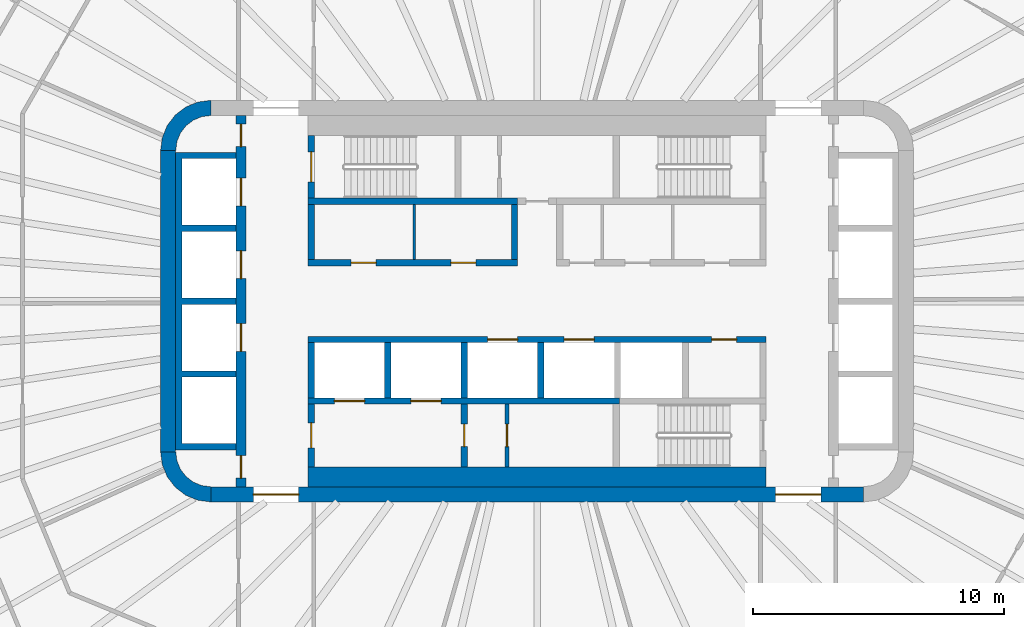
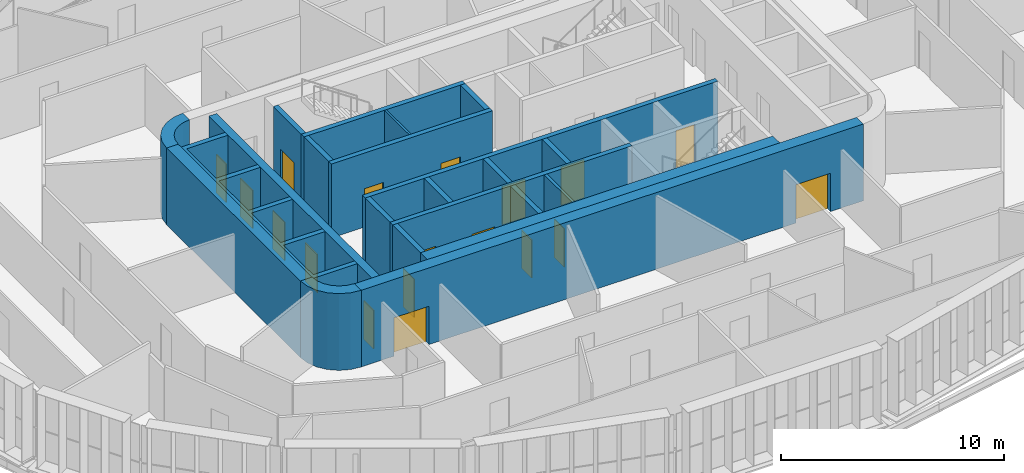
# One storey, part 11 of 22: 22 walls, 18 doors, 18 openings.
"""IFC4 building model written with IfcOpenShell, lengths in metres."""

from ifc_helpers import new_model, si_unit, direction, frame, frame_2d, origin, place, context, subcontext, project, spatial, polyline, rectangle, outline, extrude, material, layer, layer_set, type_object, element, fill, save


model = new_model("IFC4")

# Units and contexts
model_context = context("Model", 3, precision=1e-05, world=origin(), true_north=direction((0.0, 1.0)))
body_context = subcontext(model_context, "Body", "Model", "MODEL_VIEW")
ifc_project = project(units=[si_unit("LENGTHUNIT", "METRE"), si_unit("AREAUNIT", "SQUARE_METRE"), si_unit("VOLUMEUNIT", "CUBIC_METRE"), si_unit("PLANEANGLEUNIT", "RADIAN"), si_unit("MASSUNIT", "GRAM", prefix="KILO")], contexts=[model_context])

# Site, building, storey
site_placement = place(None, origin())
site = spatial("IfcSite", under=ifc_project, at=site_placement, CompositionType="ELEMENT")
building_placement = place(site_placement, origin())
building = spatial("IfcBuilding", under=site, at=building_placement, Name="Sahrelin Media Tower", CompositionType="ELEMENT")
storey_placement = place(building_placement, frame((0.0, 0.0, 50.39990234375)))
storey = spatial("IfcBuildingStorey", under=building, at=storey_placement, Name="L07", CompositionType="ELEMENT", Elevation=50.39990234375)

# Wall, openings, doors
ifc_material_1 = material(Name="Concrete C60/75", Category="concrete")
ifc_layer_1 = layer(ifc_material_1, 0.60009765625)
ifc_layer_set_1 = layer_set([ifc_layer_1], Name="Core wall 600")
wall_type_1 = type_object("IfcWallType", Name="Core wall 600", PredefinedType="SHEAR", material=ifc_layer_set_1)
wall_1_placement = place(storey_placement, frame((-13.0, -7.699951171875, 0.0), z_axis=(0.0, 0.0, 1.0), x_axis=(1.0, 0.0, 0.0)))
wall_1 = element("IfcWall", 1, at=wall_1_placement, inside=storey, type_object=wall_type_1, Name="Core wall S L07", PredefinedType="SHEAR", context=body_context, shape_type="SweptSolid", body=[
    extrude(rectangle(XDim=26.0, YDim=0.60009765625, at=frame_2d((13.0, 0.0))), origin(), (0.0, 0.0, 1.0), 4.2001953125),
])
opening_1_placement = place(wall_1_placement, frame((1.699951171875, 0.0, 0.0)))
opening_1 = element("IfcOpeningElement", 2, at=opening_1_placement, cuts=wall_1, Name="Opening L07-D21", PredefinedType="OPENING", context=body_context, shape_type="SweptSolid", body=[
    extrude(rectangle(XDim=1.800048828125, YDim=2.10009765625, at=frame_2d((0.89990234375, 1.050048828125))), frame((0.0, 0.300048828125, 0.0), z_axis=(0.0, -1.0, 0.0), x_axis=(1.0, 0.0, 0.0)), (0.0, 0.0, 1.0), 0.60009765625),
])
opening_2_placement = place(wall_1_placement, frame((22.5, 0.0, 0.0)))
opening_2 = element("IfcOpeningElement", 3, at=opening_2_placement, cuts=wall_1, Name="Opening L07-D22", PredefinedType="OPENING", context=body_context, shape_type="SweptSolid", body=[
    extrude(rectangle(XDim=1.800048828125, YDim=2.10009765625, at=frame_2d((0.89990234375, 1.050048828125))), frame((0.0, 0.300048828125, 0.0), z_axis=(0.0, -1.0, 0.0), x_axis=(1.0, 0.0, 0.0)), (0.0, 0.0, 1.0), 0.60009765625),
])
ifc_material_2 = material(Name="Steel fire door leaf", Category="steel")
door_type_1 = type_object("IfcDoorType", Name="Lobby double door 1800 x 2100 EI 60", OperationType="DOUBLE_DOOR_SINGLE_SWING", PredefinedType="DOOR", material=ifc_material_2)
door_1_placement = place(opening_1_placement, origin())
door_1 = element("IfcDoor", 4, at=door_1_placement, inside=storey, type_object=door_type_1, Name="Lobby door", OperationType="DOUBLE_DOOR_SINGLE_SWING", OverallHeight=2.10009765625, OverallWidth=1.800048828125, PredefinedType="DOOR", context=body_context, shape_type="SweptSolid", body=[
    extrude(rectangle(XDim=1.800048828125, YDim=2.10009765625, at=frame_2d((0.89990234375, 1.050048828125))), frame((0.0, 0.02490234375, 0.0), z_axis=(0.0, -1.0, 0.0), x_axis=(1.0, 0.0, 0.0)), (0.0, 0.0, 1.0), 0.050048828125),
])
fill(opening_1, door_1)
door_2_placement = place(opening_2_placement, origin())
door_2 = element("IfcDoor", 5, at=door_2_placement, inside=storey, type_object=door_type_1, Name="Lobby door", OperationType="DOUBLE_DOOR_SINGLE_SWING", OverallHeight=2.10009765625, OverallWidth=1.800048828125, PredefinedType="DOOR", context=body_context, shape_type="SweptSolid", body=[
    extrude(rectangle(XDim=1.800048828125, YDim=2.10009765625, at=frame_2d((0.89990234375, 1.050048828125))), frame((0.0, 0.02490234375, 0.0), z_axis=(0.0, -1.0, 0.0), x_axis=(1.0, 0.0, 0.0)), (0.0, 0.0, 1.0), 0.050048828125),
])
fill(opening_2, door_2)

# Walls
wall_2_placement = place(storey_placement, frame((-14.699951171875, -6.0, 0.0), z_axis=(0.0, 0.0, 1.0), x_axis=(0.0, 1.0, 0.0)))
element("IfcWall", 6, at=wall_2_placement, inside=storey, type_object=wall_type_1, Name="Core wall W L07", PredefinedType="SHEAR", context=body_context, shape_type="SweptSolid", body=[
    extrude(rectangle(XDim=12.0, YDim=0.60009765625, at=frame_2d((6.0, 0.0))), origin(), (0.0, 0.0, 1.0), 4.2001953125),
])
placement = place(storey_placement, origin())
element("IfcWall", 7, at=placement, inside=storey, type_object=wall_type_1, Name="Core wall corner NW L07", PredefinedType="SHEAR", context=body_context, shape_type="SweptSolid", body=[
    extrude(outline(polyline([(-15.0, 6.0), (-14.394775390625, 6.0), (-14.347412109375, 6.361083984375), (-14.2080078125, 6.697509765625), (-13.986328125, 6.986328125), (-13.697509765625, 7.2080078125), (-13.361083984375, 7.347412109375), (-13.0, 7.394775390625), (-13.0, 8.0), (-13.517578125, 7.931884765625), (-14.0, 7.732177734375), (-14.414306640625, 7.414306640625), (-14.732177734375, 7.0), (-14.931884765625, 6.517578125), (-15.0, 6.0)])), origin(), (0.0, 0.0, 1.0), 4.2001953125),
])
element("IfcWall", 8, at=placement, inside=storey, type_object=wall_type_1, Name="Core wall corner SW L07", PredefinedType="SHEAR", context=body_context, shape_type="SweptSolid", body=[
    extrude(outline(polyline([(-13.0, -8.0), (-13.0, -7.394775390625), (-13.361083984375, -7.347412109375), (-13.697509765625, -7.2080078125), (-13.986328125, -6.986328125), (-14.2080078125, -6.697509765625), (-14.347412109375, -6.361083984375), (-14.394775390625, -6.0), (-15.0, -6.0), (-14.931884765625, -6.517578125), (-14.732177734375, -7.0), (-14.414306640625, -7.414306640625), (-14.0, -7.732177734375), (-13.517578125, -7.931884765625), (-13.0, -8.0)])), origin(), (0.0, 0.0, 1.0), 4.2001953125),
])

# Wall, openings, doors
ifc_material_3 = material(Name="Fire-rated gypsum board partition")
ifc_layer_2 = layer(ifc_material_3, 0.25)
ifc_layer_set_2 = layer_set([ifc_layer_2], Name="Fire-rated lobby wall 250")
wall_type_2 = type_object("IfcWallType", Name="Fire-rated lobby wall 250", PredefinedType="PARTITIONING", material=ifc_layer_set_2)
wall_5_placement = place(storey_placement, frame((-9.125, 1.52490234375, 0.0), z_axis=(0.0, 0.0, 1.0), x_axis=(1.0, 0.0, 0.0)))
wall_5 = element("IfcWall", 9, at=wall_5_placement, inside=storey, type_object=wall_type_2, Name="Core lobby wall", PredefinedType="PARTITIONING", context=body_context, shape_type="SweptSolid", body=[
    extrude(rectangle(XDim=8.35009765625, YDim=0.25, at=frame_2d((4.175048828125, 0.0))), origin(), (0.0, 0.0, 1.0), 4.050048828125),
])
opening_3_placement = place(wall_5_placement, frame((1.71240234375, 0.0, 0.0)))
opening_3 = element("IfcOpeningElement", 10, at=opening_3_placement, cuts=wall_5, Name="Opening L07-D09", PredefinedType="OPENING", context=body_context, shape_type="SweptSolid", body=[
    extrude(rectangle(XDim=1.0, YDim=2.10009765625, at=frame_2d((0.5, 1.050048828125))), frame((0.0, 0.125, 0.0), z_axis=(0.0, -1.0, 0.0), x_axis=(1.0, 0.0, 0.0)), (0.0, 0.0, 1.0), 0.25),
])
opening_4_placement = place(wall_5_placement, frame((5.6875, 0.0, 0.0)))
opening_4 = element("IfcOpeningElement", 11, at=opening_4_placement, cuts=wall_5, Name="Opening L07-D10", PredefinedType="OPENING", context=body_context, shape_type="SweptSolid", body=[
    extrude(rectangle(XDim=1.0, YDim=2.10009765625, at=frame_2d((0.5, 1.050048828125))), frame((0.0, 0.125, 0.0), z_axis=(0.0, -1.0, 0.0), x_axis=(1.0, 0.0, 0.0)), (0.0, 0.0, 1.0), 0.25),
])
door_type_2 = type_object("IfcDoorType", Name="Fire door 1000 x 2100 EI 60", OperationType="NOTDEFINED", PredefinedType="DOOR", material=ifc_material_2)
door_3_placement = place(opening_3_placement, origin())
door_3 = element("IfcDoor", 12, at=door_3_placement, inside=storey, type_object=door_type_2, Name="Core room door", OperationType="SINGLE_SWING_LEFT", OverallHeight=2.10009765625, OverallWidth=1.0, PredefinedType="DOOR", context=body_context, shape_type="SweptSolid", body=[
    extrude(rectangle(XDim=1.0, YDim=2.10009765625, at=frame_2d((0.5, 1.050048828125))), frame((0.0, 0.02490234375, 0.0), z_axis=(0.0, -1.0, 0.0), x_axis=(1.0, 0.0, 0.0)), (0.0, 0.0, 1.0), 0.050048828125),
])
fill(opening_3, door_3)
door_4_placement = place(opening_4_placement, origin())
door_4 = element("IfcDoor", 13, at=door_4_placement, inside=storey, type_object=door_type_2, Name="Core room door", OperationType="SINGLE_SWING_LEFT", OverallHeight=2.10009765625, OverallWidth=1.0, PredefinedType="DOOR", context=body_context, shape_type="SweptSolid", body=[
    extrude(rectangle(XDim=1.0, YDim=2.10009765625, at=frame_2d((0.5, 1.050048828125))), frame((0.0, 0.02490234375, 0.0), z_axis=(0.0, -1.0, 0.0), x_axis=(1.0, 0.0, 0.0)), (0.0, 0.0, 1.0), 0.050048828125),
])
fill(opening_4, door_4)

# Walls
for number, where, z_axis, x_axis, name in (
    (14, (-9.0, 1.64990234375, 0.0), (0.0, 0.0, 1.0), (0.0, 1.0, 0.0), "Core lobby wall"),
    (15, (-0.89990234375, 1.64990234375, 0.0), (0.0, 0.0, 1.0), (0.0, 1.0, 0.0), "Core lobby wall"),
):
    element("IfcWall", number, at=place(storey_placement, frame(where, z_axis=z_axis, x_axis=x_axis)), inside=storey, type_object=wall_type_2, Name=name, PredefinedType="PARTITIONING", context=body_context, shape_type="SweptSolid", body=[
        extrude(rectangle(XDim=2.2001953125, YDim=0.25, at=frame_2d((1.10009765625, 0.0))), origin(), (0.0, 0.0, 1.0), 4.050048828125),
    ])
ifc_layer_3 = layer(ifc_material_3, 0.10009765625)
ifc_layer_set_3 = layer_set([ifc_layer_3], Name="Fire-rated partition 100")
wall_type_3 = type_object("IfcWallType", Name="Fire-rated partition 100", PredefinedType="PARTITIONING", material=ifc_layer_set_3)
wall_6_placement = place(storey_placement, frame((-4.89990234375, 1.64990234375, 0.0), z_axis=(0.0, 0.0, 1.0), x_axis=(0.0, 1.0, 0.0)))
element("IfcWall", 16, at=wall_6_placement, inside=storey, type_object=wall_type_3, Name="Core room partition", PredefinedType="PARTITIONING", context=body_context, shape_type="SweptSolid", body=[
    extrude(rectangle(XDim=2.2001953125, YDim=0.10009765625, at=frame_2d((1.10009765625, 0.0))), origin(), (0.0, 0.0, 1.0), 4.050048828125),
])

# Wall, opening, door
ifc_layer_4 = layer(ifc_material_3, 0.14990234375)
ifc_layer_set_4 = layer_set([ifc_layer_4], Name="Fire-rated partition 150")
wall_type_4 = type_object("IfcWallType", Name="Fire-rated partition 150", PredefinedType="PARTITIONING", material=ifc_layer_set_4)
wall_7_placement = place(storey_placement, frame((-1.199951171875, -6.60009765625, 0.0), z_axis=(0.0, 0.0, 1.0), x_axis=(0.0, 1.0, 0.0)))
wall_7 = element("IfcWall", 17, at=wall_7_placement, inside=storey, type_object=wall_type_4, Name="Core room fire partition", PredefinedType="PARTITIONING", context=body_context, shape_type="SweptSolid", body=[
    extrude(rectangle(XDim=2.5, YDim=0.14990234375, at=frame_2d((1.25, 0.0))), origin(), (0.0, 0.0, 1.0), 4.050048828125),
])
opening_5_placement = place(wall_7_placement, frame((0.800048828125, 0.0, 0.0)))
opening_5 = element("IfcOpeningElement", 18, at=opening_5_placement, cuts=wall_7, Name="Opening L07-D08", PredefinedType="OPENING", context=body_context, shape_type="SweptSolid", body=[
    extrude(rectangle(XDim=0.89990234375, YDim=2.10009765625, at=frame_2d((0.449951171875, 1.050048828125))), frame((0.0, 0.074951171875, 0.0), z_axis=(0.0, -1.0, 0.0), x_axis=(1.0, 0.0, 0.0)), (0.0, 0.0, 1.0), 0.14990234375),
])
door_type_3 = type_object("IfcDoorType", Name="Fire door 900 x 2100 EI 60", OperationType="NOTDEFINED", PredefinedType="DOOR", material=ifc_material_2)
door_5_placement = place(opening_5_placement, origin())
door_5 = element("IfcDoor", 19, at=door_5_placement, inside=storey, type_object=door_type_3, Name="Core room door", OperationType="SINGLE_SWING_RIGHT", OverallHeight=2.10009765625, OverallWidth=0.89990234375, PredefinedType="DOOR", context=body_context, shape_type="SweptSolid", body=[
    extrude(rectangle(XDim=0.89990234375, YDim=2.10009765625, at=frame_2d((0.449951171875, 1.050048828125))), frame((0.0, 0.02490234375, 0.0), z_axis=(0.0, -1.0, 0.0), x_axis=(1.0, 0.0, 0.0)), (0.0, 0.0, 1.0), 0.050048828125),
])
fill(opening_5, door_5)

ifc_layer_5 = layer(ifc_material_3, 0.25)
ifc_layer_set_5 = layer_set([ifc_layer_5], Name="Firefighting lobby wall 250")
wall_type_5 = type_object("IfcWallType", Name="Firefighting lobby wall 250", PredefinedType="PARTITIONING", material=ifc_layer_set_5)
wall_8_placement = place(storey_placement, frame((-9.0, -6.60009765625, 0.0), z_axis=(0.0, 0.0, 1.0), x_axis=(0.0, 1.0, 0.0)))
wall_8 = element("IfcWall", 20, at=wall_8_placement, inside=storey, type_object=wall_type_5, Name="Core wall", PredefinedType="PARTITIONING", context=body_context, shape_type="SweptSolid", body=[
    extrude(rectangle(XDim=2.5, YDim=0.25, at=frame_2d((1.25, 0.0))), origin(), (0.0, 0.0, 1.0), 4.050048828125),
])
opening_6_placement = place(wall_8_placement, frame((0.75, 0.0, 0.0)))
opening_6 = element("IfcOpeningElement", 21, at=opening_6_placement, cuts=wall_8, Name="Opening L07-D04", PredefinedType="OPENING", context=body_context, shape_type="SweptSolid", body=[
    extrude(rectangle(XDim=1.0, YDim=2.10009765625, at=frame_2d((0.5, 1.050048828125))), frame((0.0, 0.125, 0.0), z_axis=(0.0, -1.0, 0.0), x_axis=(1.0, 0.0, 0.0)), (0.0, 0.0, 1.0), 0.25),
])
door_type_4 = type_object("IfcDoorType", Name="Firefighting lobby door 1000 x 2100 EI 120", OperationType="NOTDEFINED", PredefinedType="DOOR", material=ifc_material_2)
door_6_placement = place(opening_6_placement, origin())
door_6 = element("IfcDoor", 22, at=door_6_placement, inside=storey, type_object=door_type_4, Name="Firefighting lobby door", OperationType="SINGLE_SWING_LEFT", OverallHeight=2.10009765625, OverallWidth=1.0, PredefinedType="DOOR", context=body_context, shape_type="SweptSolid", body=[
    extrude(rectangle(XDim=1.0, YDim=2.10009765625, at=frame_2d((0.5, 1.050048828125))), frame((0.0, 0.02490234375, 0.0), z_axis=(0.0, -1.0, 0.0), x_axis=(1.0, 0.0, 0.0)), (0.0, 0.0, 1.0), 0.050048828125),
])
fill(opening_6, door_6)

wall_9_placement = place(storey_placement, frame((-2.89990234375, -6.60009765625, 0.0), z_axis=(0.0, 0.0, 1.0), x_axis=(0.0, 1.0, 0.0)))
wall_9 = element("IfcWall", 23, at=wall_9_placement, inside=storey, type_object=wall_type_5, Name="Core wall", PredefinedType="PARTITIONING", context=body_context, shape_type="SweptSolid", body=[
    extrude(rectangle(XDim=2.5, YDim=0.25, at=frame_2d((1.25, 0.0))), origin(), (0.0, 0.0, 1.0), 4.050048828125),
])
opening_7_placement = place(wall_9_placement, frame((0.800048828125, 0.0, 0.0)))
opening_7 = element("IfcOpeningElement", 24, at=opening_7_placement, cuts=wall_9, Name="Opening L07-D05", PredefinedType="OPENING", context=body_context, shape_type="SweptSolid", body=[
    extrude(rectangle(XDim=0.89990234375, YDim=2.10009765625, at=frame_2d((0.449951171875, 1.050048828125))), frame((0.0, 0.125, 0.0), z_axis=(0.0, -1.0, 0.0), x_axis=(1.0, 0.0, 0.0)), (0.0, 0.0, 1.0), 0.25),
])
door_type_5 = type_object("IfcDoorType", Name="Firefighting lobby door 900 x 2100 EI 120", OperationType="NOTDEFINED", PredefinedType="DOOR", material=ifc_material_2)
door_7_placement = place(opening_7_placement, origin())
door_7 = element("IfcDoor", 25, at=door_7_placement, inside=storey, type_object=door_type_5, Name="Riser door", OperationType="SINGLE_SWING_RIGHT", OverallHeight=2.10009765625, OverallWidth=0.89990234375, PredefinedType="DOOR", context=body_context, shape_type="SweptSolid", body=[
    extrude(rectangle(XDim=0.89990234375, YDim=2.10009765625, at=frame_2d((0.449951171875, 1.050048828125))), frame((0.0, 0.02490234375, 0.0), z_axis=(0.0, -1.0, 0.0), x_axis=(1.0, 0.0, 0.0)), (0.0, 0.0, 1.0), 0.050048828125),
])
fill(opening_7, door_7)

# Wall, openings, doors
ifc_layer_6 = layer(ifc_material_1, 0.25)
ifc_layer_set_6 = layer_set([ifc_layer_6], Name="Lift shaft wall 250")
wall_type_6 = type_object("IfcWallType", Name="Lift shaft wall 250", PredefinedType="SOLIDWALL", material=ifc_layer_set_6)
wall_10_placement = place(storey_placement, frame((-9.125, -1.52490234375, 0.0), z_axis=(0.0, 0.0, 1.0), x_axis=(1.0, 0.0, 0.0)))
wall_10 = element("IfcWall", 26, at=wall_10_placement, inside=storey, type_object=wall_type_6, Name="Lift shaft wall", PredefinedType="SOLIDWALL", context=body_context, shape_type="SweptSolid", body=[
    extrude(rectangle(XDim=18.25, YDim=0.25, at=frame_2d((9.125, 0.0))), origin(), (0.0, 0.0, 1.0), 4.050048828125),
])
opening_8_placement = place(wall_10_placement, frame((7.14990234375, 0.0, 0.0)))
opening_8 = element("IfcOpeningElement", 27, at=opening_8_placement, cuts=wall_10, Name="Opening L07-LD-SV1", PredefinedType="OPENING", context=body_context, shape_type="SweptSolid", body=[
    extrude(rectangle(XDim=1.199951171875, YDim=2.10009765625, at=frame_2d((0.60009765625, 1.050048828125))), frame((0.0, 0.125, 0.0), z_axis=(0.0, -1.0, 0.0), x_axis=(1.0, 0.0, 0.0)), (0.0, 0.0, 1.0), 0.25),
])
opening_9_placement = place(wall_10_placement, frame((10.199951171875, 0.0, 0.0)))
opening_9 = element("IfcOpeningElement", 28, at=opening_9_placement, cuts=wall_10, Name="Opening L07-LD-SV2", PredefinedType="OPENING", context=body_context, shape_type="SweptSolid", body=[
    extrude(rectangle(XDim=1.199951171875, YDim=2.10009765625, at=frame_2d((0.60009765625, 1.050048828125))), frame((0.0, 0.125, 0.0), z_axis=(0.0, -1.0, 0.0), x_axis=(1.0, 0.0, 0.0)), (0.0, 0.0, 1.0), 0.25),
])
opening_10_placement = place(wall_10_placement, frame((16.074951171875, 0.0, 0.0)))
opening_10 = element("IfcOpeningElement", 29, at=opening_10_placement, cuts=wall_10, Name="Opening L07-D14", PredefinedType="OPENING", context=body_context, shape_type="SweptSolid", body=[
    extrude(rectangle(XDim=1.0, YDim=2.10009765625, at=frame_2d((0.5, 1.050048828125))), frame((0.0, 0.125, 0.0), z_axis=(0.0, -1.0, 0.0), x_axis=(1.0, 0.0, 0.0)), (0.0, 0.0, 1.0), 0.25),
])
door_8_placement = place(opening_10_placement, origin())
door_8 = element("IfcDoor", 30, at=door_8_placement, inside=storey, type_object=door_type_2, Name="Core room door", OperationType="SINGLE_SWING_RIGHT", OverallHeight=2.10009765625, OverallWidth=1.0, PredefinedType="DOOR", context=body_context, shape_type="SweptSolid", body=[
    extrude(rectangle(XDim=1.0, YDim=2.10009765625, at=frame_2d((0.5, 1.050048828125))), frame((0.0, 0.02490234375, 0.0), z_axis=(0.0, -1.0, 0.0), x_axis=(1.0, 0.0, 0.0)), (0.0, 0.0, 1.0), 0.050048828125),
])
fill(opening_10, door_8)
ifc_material_4 = material(Name="Stainless steel", Category="steel")
door_type_6 = type_object("IfcDoorType", Name="Lift landing door 1200 x 2100 EI 120", OperationType="DOUBLE_DOOR_SLIDING", PredefinedType="DOOR", material=ifc_material_4)
door_9_placement = place(opening_8_placement, origin())
door_9 = element("IfcDoor", 31, at=door_9_placement, inside=storey, type_object=door_type_6, Name="Lift landing door SV1", OperationType="DOUBLE_DOOR_SLIDING", OverallHeight=2.10009765625, OverallWidth=1.199951171875, PredefinedType="DOOR", context=body_context, shape_type="SweptSolid", body=[
    extrude(rectangle(XDim=1.199951171875, YDim=2.10009765625, at=frame_2d((0.60009765625, 1.050048828125))), frame((0.0, 0.02490234375, 0.0), z_axis=(0.0, -1.0, 0.0), x_axis=(1.0, 0.0, 0.0)), (0.0, 0.0, 1.0), 0.050048828125),
])
fill(opening_8, door_9)
door_10_placement = place(opening_9_placement, origin())
door_10 = element("IfcDoor", 32, at=door_10_placement, inside=storey, type_object=door_type_6, Name="Lift landing door SV2", OperationType="DOUBLE_DOOR_SLIDING", OverallHeight=2.10009765625, OverallWidth=1.199951171875, PredefinedType="DOOR", context=body_context, shape_type="SweptSolid", body=[
    extrude(rectangle(XDim=1.199951171875, YDim=2.10009765625, at=frame_2d((0.60009765625, 1.050048828125))), frame((0.0, 0.02490234375, 0.0), z_axis=(0.0, -1.0, 0.0), x_axis=(1.0, 0.0, 0.0)), (0.0, 0.0, 1.0), 0.050048828125),
])
fill(opening_9, door_10)

wall_11_placement = place(storey_placement, frame((-9.125, -3.97509765625, 0.0), z_axis=(0.0, 0.0, 1.0), x_axis=(1.0, 0.0, 0.0)))
wall_11 = element("IfcWall", 33, at=wall_11_placement, inside=storey, type_object=wall_type_6, Name="Lift shaft wall", PredefinedType="SOLIDWALL", context=body_context, shape_type="SweptSolid", body=[
    extrude(rectangle(XDim=12.39990234375, YDim=0.25, at=frame_2d((6.199951171875, 0.0))), origin(), (0.0, 0.0, 1.0), 4.050048828125),
])
opening_11_placement = place(wall_11_placement, frame((1.050048828125, 0.0, 0.0)))
opening_11 = element("IfcOpeningElement", 34, at=opening_11_placement, cuts=wall_11, Name="Opening L07-LD-FF1", PredefinedType="OPENING", context=body_context, shape_type="SweptSolid", body=[
    extrude(rectangle(XDim=1.199951171875, YDim=2.10009765625, at=frame_2d((0.60009765625, 1.050048828125))), frame((0.0, 0.125, 0.0), z_axis=(0.0, -1.0, 0.0), x_axis=(1.0, 0.0, 0.0)), (0.0, 0.0, 1.0), 0.25),
])
opening_12_placement = place(wall_11_placement, frame((4.10009765625, 0.0, 0.0)))
opening_12 = element("IfcOpeningElement", 35, at=opening_12_placement, cuts=wall_11, Name="Opening L07-LD-FF2", PredefinedType="OPENING", context=body_context, shape_type="SweptSolid", body=[
    extrude(rectangle(XDim=1.199951171875, YDim=2.10009765625, at=frame_2d((0.60009765625, 1.050048828125))), frame((0.0, 0.125, 0.0), z_axis=(0.0, -1.0, 0.0), x_axis=(1.0, 0.0, 0.0)), (0.0, 0.0, 1.0), 0.25),
])
door_11_placement = place(opening_11_placement, origin())
door_11 = element("IfcDoor", 36, at=door_11_placement, inside=storey, type_object=door_type_6, Name="Lift landing door FF1", OperationType="DOUBLE_DOOR_SLIDING", OverallHeight=2.10009765625, OverallWidth=1.199951171875, PredefinedType="DOOR", context=body_context, shape_type="SweptSolid", body=[
    extrude(rectangle(XDim=1.199951171875, YDim=2.10009765625, at=frame_2d((0.60009765625, 1.050048828125))), frame((0.0, 0.02490234375, 0.0), z_axis=(0.0, -1.0, 0.0), x_axis=(1.0, 0.0, 0.0)), (0.0, 0.0, 1.0), 0.050048828125),
])
fill(opening_11, door_11)
door_12_placement = place(opening_12_placement, origin())
door_12 = element("IfcDoor", 37, at=door_12_placement, inside=storey, type_object=door_type_6, Name="Lift landing door FF2", OperationType="DOUBLE_DOOR_SLIDING", OverallHeight=2.10009765625, OverallWidth=1.199951171875, PredefinedType="DOOR", context=body_context, shape_type="SweptSolid", body=[
    extrude(rectangle(XDim=1.199951171875, YDim=2.10009765625, at=frame_2d((0.60009765625, 1.050048828125))), frame((0.0, 0.02490234375, 0.0), z_axis=(0.0, -1.0, 0.0), x_axis=(1.0, 0.0, 0.0)), (0.0, 0.0, 1.0), 0.050048828125),
])
fill(opening_12, door_12)

# Walls
for number, where, z_axis, x_axis, name in (
    (38, (-9.0, -3.85009765625, 0.0), (0.0, 0.0, 1.0), (0.0, 1.0, 0.0), "Lift shaft wall"),
    (39, (-5.949951171875, -3.85009765625, 0.0), (0.0, 0.0, 1.0), (0.0, 1.0, 0.0), "Lift shaft wall"),
    (40, (-2.89990234375, -3.85009765625, 0.0), (0.0, 0.0, 1.0), (0.0, 1.0, 0.0), "Lift shaft wall"),
    (41, (0.14990234375, -3.85009765625, 0.0), (0.0, 0.0, 1.0), (0.0, 1.0, 0.0), "Lift shaft wall"),
):
    element("IfcWall", number, at=place(storey_placement, frame(where, z_axis=z_axis, x_axis=x_axis)), inside=storey, type_object=wall_type_6, Name=name, PredefinedType="SOLIDWALL", context=body_context, shape_type="SweptSolid", body=[
        extrude(rectangle(XDim=2.2001953125, YDim=0.25, at=frame_2d((1.10009765625, 0.0))), origin(), (0.0, 0.0, 1.0), 4.050048828125),
    ])
element("IfcWall", 42, at=placement, inside=storey, type_object=wall_type_6, Name="Lift shaft wall", PredefinedType="SOLIDWALL", context=body_context, shape_type="SweptSolid", body=[
    extrude(outline(polyline([(-12.0, -5.925048828125), (-12.0, -5.675048828125), (-14.14990234375, -5.675048828125), (-14.14990234375, -3.02490234375), (-12.0, -3.02490234375), (-12.0, -2.77490234375), (-14.14990234375, -2.77490234375), (-14.14990234375, -0.125), (-12.0, -0.125), (-12.0, 0.125), (-14.14990234375, 0.125), (-14.14990234375, 2.77490234375), (-12.0, 2.77490234375), (-12.0, 3.02490234375), (-14.14990234375, 3.02490234375), (-14.14990234375, 5.675048828125), (-12.0, 5.675048828125), (-12.0, 5.925048828125), (-14.14990234375, 5.925048828125), (-14.39990234375, 5.925048828125), (-14.39990234375, 5.675048828125), (-14.39990234375, 3.02490234375), (-14.39990234375, 2.77490234375), (-14.39990234375, 0.125), (-14.39990234375, -0.125), (-14.39990234375, -2.77490234375), (-14.39990234375, -3.02490234375), (-14.39990234375, -5.675048828125), (-14.39990234375, -5.925048828125), (-14.14990234375, -5.925048828125), (-12.0, -5.925048828125)])), origin(), (0.0, 0.0, 1.0), 4.050048828125),
])

# Wall, openings, doors
ifc_layer_7 = layer(ifc_material_1, 0.39990234375)
ifc_layer_set_7 = layer_set([ifc_layer_7], Name="Lift shaft wall 400")
wall_type_7 = type_object("IfcWallType", Name="Lift shaft wall 400", PredefinedType="SOLIDWALL", material=ifc_layer_set_7)
wall_13_placement = place(storey_placement, frame((-11.800048828125, -7.39990234375, 0.0), z_axis=(0.0, 0.0, 1.0), x_axis=(0.0, 1.0, 0.0)))
wall_13 = element("IfcWall", 43, at=wall_13_placement, inside=storey, type_object=wall_type_7, Name="Lift shaft wall", PredefinedType="SOLIDWALL", context=body_context, shape_type="SweptSolid", body=[
    extrude(rectangle(XDim=14.7998046875, YDim=0.39990234375, at=frame_2d((7.39990234375, 0.0))), origin(), (0.0, 0.0, 1.0), 4.050048828125),
])
opening_13_placement = place(wall_13_placement, frame((11.199951171875, 0.0, 0.0)))
opening_13 = element("IfcOpeningElement", 44, at=opening_13_placement, cuts=wall_13, Name="Opening L07-LD-LR1", PredefinedType="OPENING", context=body_context, shape_type="SweptSolid", body=[
    extrude(rectangle(XDim=1.10009765625, YDim=2.10009765625, at=frame_2d((0.550048828125, 1.050048828125))), frame((0.0, 0.199951171875, 0.0), z_axis=(0.0, -1.0, 0.0), x_axis=(1.0, 0.0, 0.0)), (0.0, 0.0, 1.0), 0.39990234375),
])
opening_14_placement = place(wall_13_placement, frame((8.300048828125, 0.0, 0.0)))
opening_14 = element("IfcOpeningElement", 45, at=opening_14_placement, cuts=wall_13, Name="Opening L07-LD-LR2", PredefinedType="OPENING", context=body_context, shape_type="SweptSolid", body=[
    extrude(rectangle(XDim=1.10009765625, YDim=2.10009765625, at=frame_2d((0.550048828125, 1.050048828125))), frame((0.0, 0.199951171875, 0.0), z_axis=(0.0, -1.0, 0.0), x_axis=(1.0, 0.0, 0.0)), (0.0, 0.0, 1.0), 0.39990234375),
])
opening_15_placement = place(wall_13_placement, frame((5.39990234375, 0.0, 0.0)))
opening_15 = element("IfcOpeningElement", 46, at=opening_15_placement, cuts=wall_13, Name="Opening L07-LD-LR3", PredefinedType="OPENING", context=body_context, shape_type="SweptSolid", body=[
    extrude(rectangle(XDim=1.10009765625, YDim=2.10009765625, at=frame_2d((0.550048828125, 1.050048828125))), frame((0.0, 0.199951171875, 0.0), z_axis=(0.0, -1.0, 0.0), x_axis=(1.0, 0.0, 0.0)), (0.0, 0.0, 1.0), 0.39990234375),
])
opening_16_placement = place(wall_13_placement, frame((13.552490234375, 0.0, 0.0)))
opening_16 = element("IfcOpeningElement", 47, at=opening_16_placement, cuts=wall_13, Name="Opening L07-D15", PredefinedType="OPENING", context=body_context, shape_type="SweptSolid", body=[
    extrude(rectangle(XDim=0.89990234375, YDim=2.10009765625, at=frame_2d((0.449951171875, 1.050048828125))), frame((0.0, 0.199951171875, 0.0), z_axis=(0.0, -1.0, 0.0), x_axis=(1.0, 0.0, 0.0)), (0.0, 0.0, 1.0), 0.39990234375),
])
opening_17_placement = place(wall_13_placement, frame((0.347412109375, 0.0, 0.0)))
opening_17 = element("IfcOpeningElement", 48, at=opening_17_placement, cuts=wall_13, Name="Opening L07-D16", PredefinedType="OPENING", context=body_context, shape_type="SweptSolid", body=[
    extrude(rectangle(XDim=0.89990234375, YDim=2.10009765625, at=frame_2d((0.449951171875, 1.050048828125))), frame((0.0, 0.199951171875, 0.0), z_axis=(0.0, -1.0, 0.0), x_axis=(1.0, 0.0, 0.0)), (0.0, 0.0, 1.0), 0.39990234375),
])
door_type_7 = type_object("IfcDoorType", Name="Lift landing door 1100 x 2100 EI 120", OperationType="DOUBLE_DOOR_SLIDING", PredefinedType="DOOR", material=ifc_material_4)
door_13_placement = place(opening_13_placement, origin())
door_13 = element("IfcDoor", 49, at=door_13_placement, inside=storey, type_object=door_type_7, Name="Lift landing door LR1", OperationType="DOUBLE_DOOR_SLIDING", OverallHeight=2.10009765625, OverallWidth=1.10009765625, PredefinedType="DOOR", context=body_context, shape_type="SweptSolid", body=[
    extrude(rectangle(XDim=1.10009765625, YDim=2.10009765625, at=frame_2d((0.550048828125, 1.050048828125))), frame((0.0, 0.02490234375, 0.0), z_axis=(0.0, -1.0, 0.0), x_axis=(1.0, 0.0, 0.0)), (0.0, 0.0, 1.0), 0.050048828125),
])
fill(opening_13, door_13)
door_14_placement = place(opening_14_placement, origin())
door_14 = element("IfcDoor", 50, at=door_14_placement, inside=storey, type_object=door_type_7, Name="Lift landing door LR2", OperationType="DOUBLE_DOOR_SLIDING", OverallHeight=2.10009765625, OverallWidth=1.10009765625, PredefinedType="DOOR", context=body_context, shape_type="SweptSolid", body=[
    extrude(rectangle(XDim=1.10009765625, YDim=2.10009765625, at=frame_2d((0.550048828125, 1.050048828125))), frame((0.0, 0.02490234375, 0.0), z_axis=(0.0, -1.0, 0.0), x_axis=(1.0, 0.0, 0.0)), (0.0, 0.0, 1.0), 0.050048828125),
])
fill(opening_14, door_14)
door_15_placement = place(opening_15_placement, origin())
door_15 = element("IfcDoor", 51, at=door_15_placement, inside=storey, type_object=door_type_7, Name="Lift landing door LR3", OperationType="DOUBLE_DOOR_SLIDING", OverallHeight=2.10009765625, OverallWidth=1.10009765625, PredefinedType="DOOR", context=body_context, shape_type="SweptSolid", body=[
    extrude(rectangle(XDim=1.10009765625, YDim=2.10009765625, at=frame_2d((0.550048828125, 1.050048828125))), frame((0.0, 0.02490234375, 0.0), z_axis=(0.0, -1.0, 0.0), x_axis=(1.0, 0.0, 0.0)), (0.0, 0.0, 1.0), 0.050048828125),
])
fill(opening_15, door_15)
door_type_8 = type_object("IfcDoorType", Name="Riser door 900 x 2100 EI 120", OperationType="NOTDEFINED", PredefinedType="DOOR", material=ifc_material_2)
door_16_placement = place(opening_16_placement, origin())
door_16 = element("IfcDoor", 52, at=door_16_placement, inside=storey, type_object=door_type_8, Name="Riser door", OperationType="SINGLE_SWING_LEFT", OverallHeight=2.10009765625, OverallWidth=0.89990234375, PredefinedType="DOOR", context=body_context, shape_type="SweptSolid", body=[
    extrude(rectangle(XDim=0.89990234375, YDim=2.10009765625, at=frame_2d((0.449951171875, 1.050048828125))), frame((0.0, 0.02490234375, 0.0), z_axis=(0.0, -1.0, 0.0), x_axis=(1.0, 0.0, 0.0)), (0.0, 0.0, 1.0), 0.050048828125),
])
fill(opening_16, door_16)
door_17_placement = place(opening_17_placement, origin())
door_17 = element("IfcDoor", 53, at=door_17_placement, inside=storey, type_object=door_type_8, Name="Riser door", OperationType="SINGLE_SWING_LEFT", OverallHeight=2.10009765625, OverallWidth=0.89990234375, PredefinedType="DOOR", context=body_context, shape_type="SweptSolid", body=[
    extrude(rectangle(XDim=0.89990234375, YDim=2.10009765625, at=frame_2d((0.449951171875, 1.050048828125))), frame((0.0, 0.02490234375, 0.0), z_axis=(0.0, -1.0, 0.0), x_axis=(1.0, 0.0, 0.0)), (0.0, 0.0, 1.0), 0.050048828125),
])
fill(opening_17, door_17)

# Wall, opening, door
ifc_layer_8 = layer(ifc_material_1, 0.25)
ifc_layer_set_8 = layer_set([ifc_layer_8], Name="Stair enclosure wall 250")
wall_type_8 = type_object("IfcWallType", Name="Stair enclosure wall 250", PredefinedType="SOLIDWALL", material=ifc_layer_set_8)
wall_14_placement = place(storey_placement, frame((-9.0, 4.10009765625, 0.0), z_axis=(0.0, 0.0, 1.0), x_axis=(0.0, 1.0, 0.0)))
wall_14 = element("IfcWall", 54, at=wall_14_placement, inside=storey, type_object=wall_type_8, Name="Stair enclosure wall", PredefinedType="SOLIDWALL", context=body_context, shape_type="SweptSolid", body=[
    extrude(rectangle(XDim=2.5, YDim=0.25, at=frame_2d((1.25, 0.0))), origin(), (0.0, 0.0, 1.0), 4.050048828125),
])
opening_18_placement = place(wall_14_placement, frame((0.64990234375, 0.0, 0.0)))
opening_18 = element("IfcOpeningElement", 55, at=opening_18_placement, cuts=wall_14, Name="Opening L07-D01", PredefinedType="OPENING", context=body_context, shape_type="SweptSolid", body=[
    extrude(rectangle(XDim=1.199951171875, YDim=2.10009765625, at=frame_2d((0.60009765625, 1.050048828125))), frame((0.0, 0.125, 0.0), z_axis=(0.0, -1.0, 0.0), x_axis=(1.0, 0.0, 0.0)), (0.0, 0.0, 1.0), 0.25),
])
door_type_9 = type_object("IfcDoorType", Name="Stair door 1200 x 2100 EI 120", OperationType="NOTDEFINED", PredefinedType="DOOR", material=ifc_material_2)
door_18_placement = place(opening_18_placement, origin())
door_18 = element("IfcDoor", 56, at=door_18_placement, inside=storey, type_object=door_type_9, Name="Stair door ST1", OperationType="SINGLE_SWING_RIGHT", OverallHeight=2.10009765625, OverallWidth=1.199951171875, PredefinedType="DOOR", context=body_context, shape_type="SweptSolid", body=[
    extrude(rectangle(XDim=1.199951171875, YDim=2.10009765625, at=frame_2d((0.60009765625, 1.050048828125))), frame((0.0, 0.02490234375, 0.0), z_axis=(0.0, -1.0, 0.0), x_axis=(1.0, 0.0, 0.0)), (0.0, 0.0, 1.0), 0.050048828125),
])
fill(opening_18, door_18)

# Walls
wall_15_placement = place(storey_placement, frame((-9.125, 3.97509765625, 0.0), z_axis=(0.0, 0.0, 1.0), x_axis=(1.0, 0.0, 0.0)))
element("IfcWall", 57, at=wall_15_placement, inside=storey, type_object=wall_type_8, Name="Stair enclosure wall", PredefinedType="SOLIDWALL", context=body_context, shape_type="SweptSolid", body=[
    extrude(rectangle(XDim=8.35009765625, YDim=0.25, at=frame_2d((4.175048828125, 0.0))), origin(), (0.0, 0.0, 1.0), 4.050048828125),
])
ifc_layer_9 = layer(ifc_material_1, 0.800048828125)
ifc_layer_set_9 = layer_set([ifc_layer_9], Name="Stair enclosure wall 800")
wall_type_9 = type_object("IfcWallType", Name="Stair enclosure wall 800", PredefinedType="SOLIDWALL", material=ifc_layer_set_9)
wall_16_placement = place(storey_placement, frame((-9.125, -7.0, 0.0), z_axis=(0.0, 0.0, 1.0), x_axis=(1.0, 0.0, 0.0)))
element("IfcWall", 58, at=wall_16_placement, inside=storey, type_object=wall_type_9, Name="Stair enclosure wall", PredefinedType="SOLIDWALL", context=body_context, shape_type="SweptSolid", body=[
    extrude(rectangle(XDim=18.25, YDim=0.800048828125, at=frame_2d((9.125, 0.0))), origin(), (0.0, 0.0, 1.0), 4.050048828125),
])

save(model, "model.ifc")
